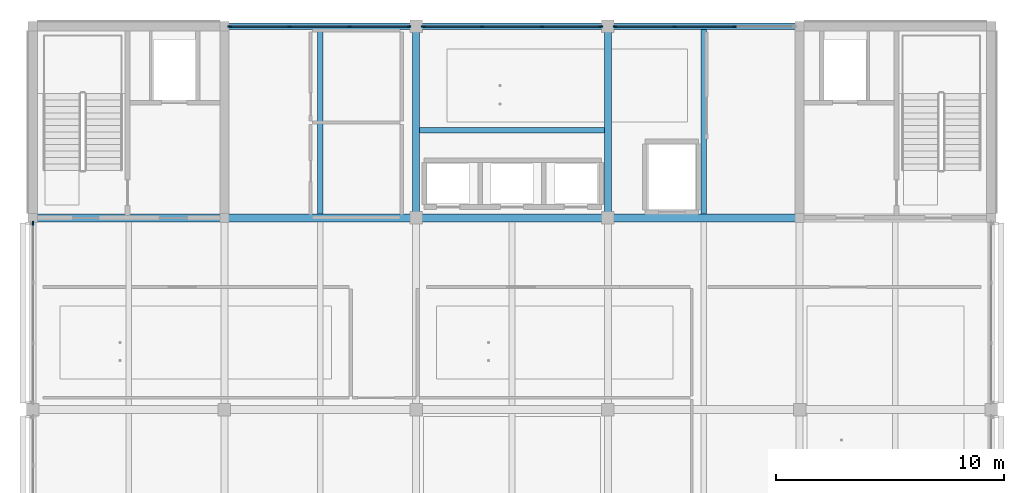
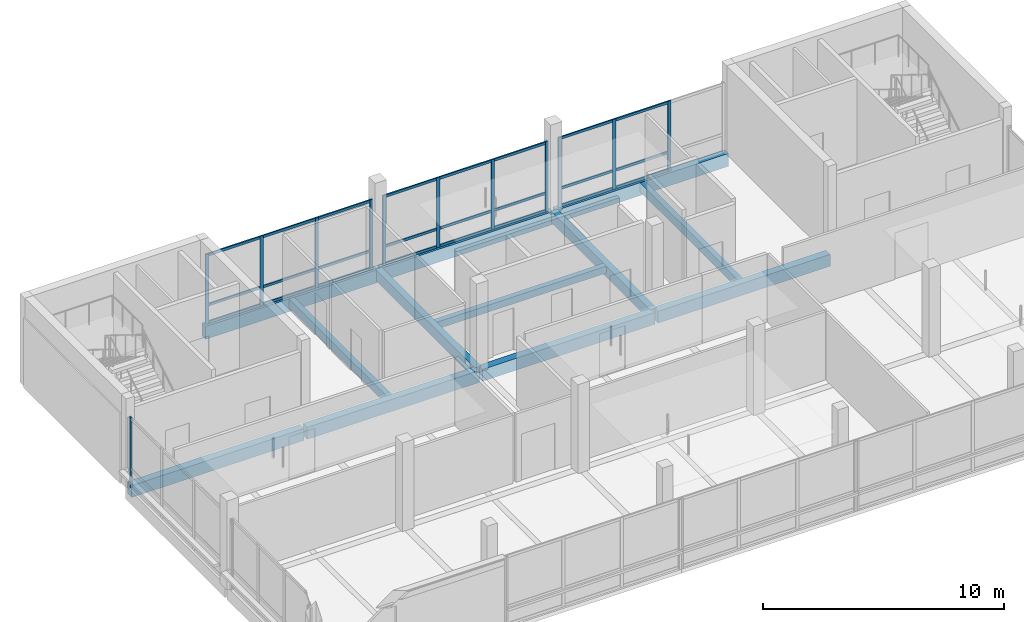
# One storey, part 4 of 20: 36 members, 12 beams, 4 elements without a shape of their own.
"""IFC4 building model written with IfcOpenShell, lengths in metres."""

from ifc_helpers import new_model, si_unit, direction, frame, origin, origin_2d, place, context, subcontext, project, spatial, rectangle, extrude, material, layer, layer_set, material_profile, profile_set, type_object, element, aggregate, save


model = new_model("IFC4")

# Units and contexts
model_context = context("Model", 3, precision=1e-05, world=origin(), true_north=direction((0.0, 1.0)))
body_context = subcontext(model_context, "Body", "Model", "MODEL_VIEW")
ifc_project = project(units=[si_unit("LENGTHUNIT", "METRE"), si_unit("AREAUNIT", "SQUARE_METRE"), si_unit("VOLUMEUNIT", "CUBIC_METRE"), si_unit("PLANEANGLEUNIT", "RADIAN"), si_unit("MASSUNIT", "GRAM", prefix="KILO")], contexts=[model_context])

# Site, building, storey
site_placement = place(None, origin())
site = spatial("IfcSite", under=ifc_project, at=site_placement, CompositionType="ELEMENT")
building_placement = place(site_placement, origin())
building = spatial("IfcBuilding", under=site, at=building_placement, Name="Telukmera Botanical Conservatory", CompositionType="ELEMENT")
storey_placement = place(building_placement, frame((0.0, 0.0, 69.0)))
storey = spatial("IfcBuildingStorey", under=building, at=storey_placement, Name="L15", CompositionType="ELEMENT", Elevation=69.0)

# Beams
ifc_material_1 = material(Name="Concrete C40/50", Category="concrete")
ifc_material_profile_1 = material_profile(ifc_material_1, rectangle(XDim=0.300048828125, YDim=0.550048828125, at=origin_2d()), Name="RC 300x550")
ifc_profile_set_1 = profile_set([ifc_material_profile_1], Name="Concrete C40/50")
beam_type_1 = type_object("IfcBeamType", Name="Beam_B10", PredefinedType="BEAM", material=ifc_profile_set_1)
for number, where, z_axis, x_axis, name in (
    (1, (75.60009765625, 26.080078125, -0.27490234375), (0.0, 1.0, 0.0), (-1.0, 0.0, 0.0), "Tower Transverse Beam L15"),
    (2, (84.0, 26.080078125, -0.27490234375), (0.0, 1.0, 0.0), (-1.0, 0.0, 0.0), "Tower Transverse Beam L15"),
):
    element("IfcBeam", number, at=place(storey_placement, frame(where, z_axis=z_axis, x_axis=x_axis)), inside=storey, type_object=beam_type_1, Name=name, PredefinedType="BEAM", context=body_context, shape_type="SweptSolid", body=[
        extrude(rectangle(XDim=0.300048828125, YDim=0.550048828125, at=origin_2d()), origin(), (0.0, 0.0, 1.0), 8.239990234375),
    ])
ifc_material_profile_2 = material_profile(ifc_material_1, rectangle(XDim=0.25, YDim=0.449951171875, at=origin_2d()), Name="RC 250x450")
ifc_profile_set_2 = profile_set([ifc_material_profile_2], Name="Concrete C40/50")
beam_type_2 = type_object("IfcBeamType", Name="Beam_B27", PredefinedType="JOIST", material=ifc_profile_set_2)
for number, where, z_axis, x_axis, name in (
    (3, (71.39990234375, 26.175048828125, -0.22509765625), (0.0, 1.0, 0.0), (-1.0, 0.0, 0.0), "Tower Secondary Floor Joist L15"),
    (4, (88.199951171875, 26.175048828125, -0.22509765625), (0.0, 1.0, 0.0), (-1.0, 0.0, 0.0), "Tower Secondary Floor Joist L15"),
):
    element("IfcBeam", number, at=place(storey_placement, frame(where, z_axis=z_axis, x_axis=x_axis)), inside=storey, type_object=beam_type_2, Name=name, PredefinedType="JOIST", context=body_context, shape_type="SweptSolid", body=[
        extrude(rectangle(XDim=0.25, YDim=0.449951171875, at=origin_2d()), origin(), (0.0, 0.0, 1.0), 8.074951171875),
    ])
ifc_material_profile_3 = material_profile(ifc_material_1, rectangle(XDim=0.35009765625, YDim=0.60009765625, at=origin_2d()), Name="RC 350x600")
ifc_profile_set_3 = profile_set([ifc_material_profile_3], Name="Concrete C40/50")
beam_type_3 = type_object("IfcBeamType", Name="Beam_B9", PredefinedType="BEAM", material=ifc_profile_set_3)
beam_1_placement = place(storey_placement, frame((58.8798828125, 26.0, -0.300048828125), z_axis=(1.0, 0.0, 0.0), x_axis=(0.0, 1.0, 0.0)))
element("IfcBeam", 5, at=beam_1_placement, inside=storey, type_object=beam_type_3, Name="Tower Grid Beam L15", PredefinedType="BEAM", context=body_context, shape_type="SweptSolid", body=[
    extrude(rectangle(XDim=0.35009765625, YDim=0.60009765625, at=origin_2d()), origin(), (0.0, 0.0, 1.0), 8.240234375),
])
for number, where, z_axis, x_axis, name in (
    (6, (67.280029296875, 26.0, -0.300048828125), (1.0, 0.0, 0.0), (0.0, 1.0, 0.0), "Tower Grid Beam L15"),
    (7, (75.679931640625, 26.0, -0.300048828125), (1.0, 0.0, 0.0), (0.0, 1.0, 0.0), "Tower Grid Beam L15"),
    (8, (84.080078125, 26.0, -0.300048828125), (1.0, 0.0, 0.0), (0.0, 1.0, 0.0), "Tower Grid Beam L15"),
):
    element("IfcBeam", number, at=place(storey_placement, frame(where, z_axis=z_axis, x_axis=x_axis)), inside=storey, type_object=beam_type_3, Name=name, PredefinedType="BEAM", context=body_context, shape_type="SweptSolid", body=[
        extrude(rectangle(XDim=0.35009765625, YDim=0.60009765625, at=origin_2d()), origin(), (0.0, 0.0, 1.0), 8.239990234375),
    ])
ifc_material_2 = material(Name="Precast concrete C40/50", Category="concrete")
ifc_material_profile_4 = material_profile(ifc_material_2, rectangle(XDim=0.25, YDim=0.35009765625, at=origin_2d()), Name="PC 250x350")
ifc_profile_set_4 = profile_set([ifc_material_profile_4], Name="Precast concrete C40/50")
beam_type_4 = type_object("IfcBeamType", Name="Beam_LN2", PredefinedType="LINTEL", material=ifc_profile_set_4)
beam_2_placement = place(storey_placement, frame((75.75, 29.85009765625, -0.175048828125), z_axis=(1.0, 0.0, 0.0), x_axis=(0.0, 1.0, 0.0)))
element("IfcBeam", 9, at=beam_2_placement, inside=storey, type_object=beam_type_4, Name="Tower Lift Bank Header Lintel L15", PredefinedType="LINTEL", context=body_context, shape_type="SweptSolid", body=[
    extrude(rectangle(XDim=0.25, YDim=0.35009765625, at=origin_2d()), origin(), (0.0, 0.0, 1.0), 8.10009765625),
])
ifc_material_profile_5 = material_profile(ifc_material_2, rectangle(XDim=0.300048828125, YDim=0.64990234375, at=origin_2d()), Name="PC 300x650")
ifc_profile_set_5 = profile_set([ifc_material_profile_5], Name="Precast concrete C40/50")
beam_type_5 = type_object("IfcBeamType", Name="Beam_SP4", PredefinedType="SPANDREL", material=ifc_profile_set_5)
for number, where, z_axis, x_axis, name in (
    (10, (67.280029296875, 34.39990234375, -0.324951171875), (1.0, 0.0, 0.0), (0.0, 1.0, 0.0), "Tower Grid Beam L15"),
    (11, (75.679931640625, 34.39990234375, -0.324951171875), (1.0, 0.0, 0.0), (0.0, 1.0, 0.0), "Tower Grid Beam L15"),
    (12, (84.080078125, 34.39990234375, -0.324951171875), (1.0, 0.0, 0.0), (0.0, 1.0, 0.0), "Tower Grid Beam L15"),
):
    element("IfcBeam", number, at=place(storey_placement, frame(where, z_axis=z_axis, x_axis=x_axis)), inside=storey, type_object=beam_type_5, Name=name, PredefinedType="SPANDREL", context=body_context, shape_type="SweptSolid", body=[
        extrude(rectangle(XDim=0.300048828125, YDim=0.64990234375, at=origin_2d()), origin(), (0.0, 0.0, 1.0), 8.239990234375),
    ])

# Curtain wall, members
ifc_material_3 = material(Name="Anodised aluminium 6063-T6", Category="aluminium")
ifc_layer = layer(ifc_material_3, 0.179931640625)
ifc_layer_set = layer_set([ifc_layer], Name="Anodised aluminium 6063-T6")
curtain_wall_type = type_object("IfcCurtainWallType", Name="Tower Sky Gallery Panoramic Curtain Wall", PredefinedType="USERDEFINED", material=ifc_layer_set)
curtain_wall_1_placement = place(storey_placement, origin())
curtain_wall_1 = element("IfcCurtainWall", 13, at=curtain_wall_1_placement, inside=storey, type_object=curtain_wall_type, Name="Unitised Curtain Wall CW16 V4:L15:N2", ObjectType="UNITISED CURTAIN WALL", PredefinedType="USERDEFINED")
ifc_material_profile_6 = material_profile(ifc_material_3, rectangle(XDim=0.06494140625, YDim=0.159912109375, at=origin_2d()), Name="ALU MULL 65x160")
ifc_profile_set_6 = profile_set([ifc_material_profile_6], Name="Anodised aluminium 6063-T6")
member_type_1 = type_object("IfcMemberType", Name="Curtain Wall Extruded Mullion 65x160", PredefinedType="MULLION", material=ifc_profile_set_6)
member_1_placement = place(storey_placement, frame((67.4345703125, 34.39990234375, 0.0), z_axis=(0.0, 0.0, 1.0), x_axis=(0.0, 1.0, 0.0)))
member_1 = element("IfcMember", 14, at=member_1_placement, type_object=member_type_1, Name="CW16 mullion 1", PredefinedType="MULLION", context=body_context, shape_type="SweptSolid", body=[
    extrude(rectangle(XDim=0.06494140625, YDim=0.159912109375, at=origin_2d()), origin(), (0.0, 0.0, 1.0), 3.550048828125),
])
member_2_placement = place(storey_placement, frame((70.042236328125, 34.39990234375, 0.0), z_axis=(0.0, 0.0, 1.0), x_axis=(0.0, 1.0, 0.0)))
member_2 = element("IfcMember", 15, at=member_2_placement, type_object=member_type_1, Name="CW16 mullion 2", PredefinedType="MULLION", context=body_context, shape_type="SweptSolid", body=[
    extrude(rectangle(XDim=0.06494140625, YDim=0.159912109375, at=origin_2d()), origin(), (0.0, 0.0, 1.0), 3.550048828125),
])
member_3_placement = place(storey_placement, frame((72.6826171875, 34.39990234375, 0.0), z_axis=(0.0, 0.0, 1.0), x_axis=(0.0, 1.0, 0.0)))
member_3 = element("IfcMember", 16, at=member_3_placement, type_object=member_type_1, Name="CW16 mullion 3", PredefinedType="MULLION", context=body_context, shape_type="SweptSolid", body=[
    extrude(rectangle(XDim=0.06494140625, YDim=0.159912109375, at=origin_2d()), origin(), (0.0, 0.0, 1.0), 3.550048828125),
])
member_4_placement = place(storey_placement, frame((75.29052734375, 34.39990234375, 0.0), z_axis=(0.0, 0.0, 1.0), x_axis=(0.0, 1.0, 0.0)))
member_4 = element("IfcMember", 17, at=member_4_placement, type_object=member_type_1, Name="CW16 mullion 4", PredefinedType="MULLION", context=body_context, shape_type="SweptSolid", body=[
    extrude(rectangle(XDim=0.06494140625, YDim=0.159912109375, at=origin_2d()), origin(), (0.0, 0.0, 1.0), 3.550048828125),
])

curtain_wall_2_placement = place(storey_placement, origin())
curtain_wall_2 = element("IfcCurtainWall", 18, at=curtain_wall_2_placement, inside=storey, type_object=curtain_wall_type, Name="Unitised Curtain Wall CW16 V4:L15:N3", ObjectType="UNITISED CURTAIN WALL", PredefinedType="USERDEFINED")
member_5_placement = place(storey_placement, frame((75.909423828125, 34.39990234375, 0.0), z_axis=(0.0, 0.0, 1.0), x_axis=(0.0, 1.0, 0.0)))
member_5 = element("IfcMember", 19, at=member_5_placement, type_object=member_type_1, Name="CW16 mullion 1", PredefinedType="MULLION", context=body_context, shape_type="SweptSolid", body=[
    extrude(rectangle(XDim=0.06494140625, YDim=0.159912109375, at=origin_2d()), origin(), (0.0, 0.0, 1.0), 3.550048828125),
])
member_6_placement = place(storey_placement, frame((78.492431640625, 34.39990234375, 0.0), z_axis=(0.0, 0.0, 1.0), x_axis=(0.0, 1.0, 0.0)))
member_6 = element("IfcMember", 20, at=member_6_placement, type_object=member_type_1, Name="CW16 mullion 2", PredefinedType="MULLION", context=body_context, shape_type="SweptSolid", body=[
    extrude(rectangle(XDim=0.06494140625, YDim=0.159912109375, at=origin_2d()), origin(), (0.0, 0.0, 1.0), 3.550048828125),
])
member_7_placement = place(storey_placement, frame((81.107666015625, 34.39990234375, 0.0), z_axis=(0.0, 0.0, 1.0), x_axis=(0.0, 1.0, 0.0)))
member_7 = element("IfcMember", 21, at=member_7_placement, type_object=member_type_1, Name="CW16 mullion 3", PredefinedType="MULLION", context=body_context, shape_type="SweptSolid", body=[
    extrude(rectangle(XDim=0.06494140625, YDim=0.159912109375, at=origin_2d()), origin(), (0.0, 0.0, 1.0), 3.550048828125),
])
member_8_placement = place(storey_placement, frame((83.6904296875, 34.39990234375, 0.0), z_axis=(0.0, 0.0, 1.0), x_axis=(0.0, 1.0, 0.0)))
member_8 = element("IfcMember", 22, at=member_8_placement, type_object=member_type_1, Name="CW16 mullion 4", PredefinedType="MULLION", context=body_context, shape_type="SweptSolid", body=[
    extrude(rectangle(XDim=0.06494140625, YDim=0.159912109375, at=origin_2d()), origin(), (0.0, 0.0, 1.0), 3.550048828125),
])

curtain_wall_3_placement = place(storey_placement, origin())
curtain_wall_3 = element("IfcCurtainWall", 23, at=curtain_wall_3_placement, inside=storey, type_object=curtain_wall_type, Name="Unitised Curtain Wall CW16 V4:L15:N4", ObjectType="UNITISED CURTAIN WALL", PredefinedType="USERDEFINED")
member_9_placement = place(storey_placement, frame((84.3095703125, 34.39990234375, 0.0), z_axis=(0.0, 0.0, 1.0), x_axis=(0.0, 1.0, 0.0)))
member_9 = element("IfcMember", 24, at=member_9_placement, type_object=member_type_1, Name="CW16 mullion 1", PredefinedType="MULLION", context=body_context, shape_type="SweptSolid", body=[
    extrude(rectangle(XDim=0.06494140625, YDim=0.159912109375, at=origin_2d()), origin(), (0.0, 0.0, 1.0), 3.550048828125),
])
member_10_placement = place(storey_placement, frame((86.917236328125, 34.39990234375, 0.0), z_axis=(0.0, 0.0, 1.0), x_axis=(0.0, 1.0, 0.0)))
member_10 = element("IfcMember", 25, at=member_10_placement, type_object=member_type_1, Name="CW16 mullion 2", PredefinedType="MULLION", context=body_context, shape_type="SweptSolid", body=[
    extrude(rectangle(XDim=0.06494140625, YDim=0.159912109375, at=origin_2d()), origin(), (0.0, 0.0, 1.0), 3.550048828125),
])
member_11_placement = place(storey_placement, frame((89.5576171875, 34.39990234375, 0.0), z_axis=(0.0, 0.0, 1.0), x_axis=(0.0, 1.0, 0.0)))
member_11 = element("IfcMember", 26, at=member_11_placement, type_object=member_type_1, Name="CW16 mullion 3", PredefinedType="MULLION", context=body_context, shape_type="SweptSolid", body=[
    extrude(rectangle(XDim=0.06494140625, YDim=0.159912109375, at=origin_2d()), origin(), (0.0, 0.0, 1.0), 3.550048828125),
])

# Curtain wall, member
curtain_wall_4_placement = place(storey_placement, origin())
curtain_wall_4 = element("IfcCurtainWall", 27, at=curtain_wall_4_placement, inside=storey, type_object=curtain_wall_type, Name="Unitised Curtain Wall CW16 V4:L15:W2", ObjectType="UNITISED CURTAIN WALL", PredefinedType="USERDEFINED")
member_12_placement = place(storey_placement, frame((58.800048828125, 25.765380859375, 0.0), z_axis=(0.0, 0.0, 1.0), x_axis=(-1.0, 0.0, 0.0)))
member_12 = element("IfcMember", 28, at=member_12_placement, type_object=member_type_1, Name="CW16 mullion 4", PredefinedType="MULLION", context=body_context, shape_type="SweptSolid", body=[
    extrude(rectangle(XDim=0.06494140625, YDim=0.159912109375, at=origin_2d()), origin(), (0.0, 0.0, 1.0), 3.550048828125),
])
aggregate(curtain_wall_4, [member_12])

# Member
ifc_material_profile_7 = material_profile(ifc_material_3, rectangle(XDim=0.06494140625, YDim=0.1298828125, at=origin_2d()), Name="ALU TRAN 65x130")
ifc_profile_set_7 = profile_set([ifc_material_profile_7], Name="Anodised aluminium 6063-T6")
member_type_2 = type_object("IfcMemberType", Name="Curtain Wall Extruded Transom 65x130", PredefinedType="USERDEFINED", material=ifc_profile_set_7)
member_13_placement = place(storey_placement, frame((67.467041015625, 34.39990234375, 0.06494140625), z_axis=(1.0, 0.0, 0.0), x_axis=(0.0, 1.0, 0.0)))
member_13 = element("IfcMember", 29, at=member_13_placement, type_object=member_type_2, Name="CW16 transom 1.1", ObjectType="TRANSOM", PredefinedType="USERDEFINED", context=body_context, shape_type="SweptSolid", body=[
    extrude(rectangle(XDim=0.06494140625, YDim=0.1298828125, at=origin_2d()), origin(), (0.0, 0.0, 1.0), 2.542724609375),
])

member_14_placement = place(storey_placement, frame((67.467041015625, 34.39990234375, 0.949951171875), z_axis=(1.0, 0.0, 0.0), x_axis=(0.0, 1.0, 0.0)))
member_14 = element("IfcMember", 30, at=member_14_placement, type_object=member_type_2, Name="CW16 transom 1.2", ObjectType="TRANSOM", PredefinedType="USERDEFINED", context=body_context, shape_type="SweptSolid", body=[
    extrude(rectangle(XDim=0.06494140625, YDim=0.1298828125, at=origin_2d()), origin(), (0.0, 0.0, 1.0), 2.542724609375),
])

member_15_placement = place(storey_placement, frame((67.467041015625, 34.39990234375, 3.485107421875), z_axis=(1.0, 0.0, 0.0), x_axis=(0.0, 1.0, 0.0)))
member_15 = element("IfcMember", 31, at=member_15_placement, type_object=member_type_2, Name="CW16 transom 1.3", ObjectType="TRANSOM", PredefinedType="USERDEFINED", context=body_context, shape_type="SweptSolid", body=[
    extrude(rectangle(XDim=0.06494140625, YDim=0.1298828125, at=origin_2d()), origin(), (0.0, 0.0, 1.0), 2.542724609375),
])

member_16_placement = place(storey_placement, frame((70.074951171875, 34.39990234375, 0.06494140625), z_axis=(1.0, 0.0, 0.0), x_axis=(0.0, 1.0, 0.0)))
member_16 = element("IfcMember", 32, at=member_16_placement, type_object=member_type_2, Name="CW16 transom 2.1", ObjectType="TRANSOM", PredefinedType="USERDEFINED", context=body_context, shape_type="SweptSolid", body=[
    extrude(rectangle(XDim=0.06494140625, YDim=0.1298828125, at=origin_2d()), origin(), (0.0, 0.0, 1.0), 2.5751953125),
])

member_17_placement = place(storey_placement, frame((70.074951171875, 34.39990234375, 0.949951171875), z_axis=(1.0, 0.0, 0.0), x_axis=(0.0, 1.0, 0.0)))
member_17 = element("IfcMember", 33, at=member_17_placement, type_object=member_type_2, Name="CW16 transom 2.2", ObjectType="TRANSOM", PredefinedType="USERDEFINED", context=body_context, shape_type="SweptSolid", body=[
    extrude(rectangle(XDim=0.06494140625, YDim=0.1298828125, at=origin_2d()), origin(), (0.0, 0.0, 1.0), 2.5751953125),
])

member_18_placement = place(storey_placement, frame((70.074951171875, 34.39990234375, 3.485107421875), z_axis=(1.0, 0.0, 0.0), x_axis=(0.0, 1.0, 0.0)))
member_18 = element("IfcMember", 34, at=member_18_placement, type_object=member_type_2, Name="CW16 transom 2.3", ObjectType="TRANSOM", PredefinedType="USERDEFINED", context=body_context, shape_type="SweptSolid", body=[
    extrude(rectangle(XDim=0.06494140625, YDim=0.1298828125, at=origin_2d()), origin(), (0.0, 0.0, 1.0), 2.5751953125),
])

member_19_placement = place(storey_placement, frame((72.715087890625, 34.39990234375, 0.06494140625), z_axis=(1.0, 0.0, 0.0), x_axis=(0.0, 1.0, 0.0)))
member_19 = element("IfcMember", 35, at=member_19_placement, type_object=member_type_2, Name="CW16 transom 3.1", ObjectType="TRANSOM", PredefinedType="USERDEFINED", context=body_context, shape_type="SweptSolid", body=[
    extrude(rectangle(XDim=0.06494140625, YDim=0.1298828125, at=origin_2d()), origin(), (0.0, 0.0, 1.0), 2.54296875),
])

member_20_placement = place(storey_placement, frame((72.715087890625, 34.39990234375, 0.949951171875), z_axis=(1.0, 0.0, 0.0), x_axis=(0.0, 1.0, 0.0)))
member_20 = element("IfcMember", 36, at=member_20_placement, type_object=member_type_2, Name="CW16 transom 3.2", ObjectType="TRANSOM", PredefinedType="USERDEFINED", context=body_context, shape_type="SweptSolid", body=[
    extrude(rectangle(XDim=0.06494140625, YDim=0.1298828125, at=origin_2d()), origin(), (0.0, 0.0, 1.0), 2.54296875),
])

member_21_placement = place(storey_placement, frame((72.715087890625, 34.39990234375, 3.485107421875), z_axis=(1.0, 0.0, 0.0), x_axis=(0.0, 1.0, 0.0)))
member_21 = element("IfcMember", 37, at=member_21_placement, type_object=member_type_2, Name="CW16 transom 3.3", ObjectType="TRANSOM", PredefinedType="USERDEFINED", context=body_context, shape_type="SweptSolid", body=[
    extrude(rectangle(XDim=0.06494140625, YDim=0.1298828125, at=origin_2d()), origin(), (0.0, 0.0, 1.0), 2.54296875),
])

aggregate(curtain_wall_1, [member_1, member_2, member_3, member_4, member_13, member_14, member_15, member_16, member_17, member_18, member_19, member_20, member_21])

member_22_placement = place(storey_placement, frame((75.94189453125, 34.39990234375, 0.06494140625), z_axis=(1.0, 0.0, 0.0), x_axis=(0.0, 1.0, 0.0)))
member_22 = element("IfcMember", 38, at=member_22_placement, type_object=member_type_2, Name="CW16 transom 1.1", ObjectType="TRANSOM", PredefinedType="USERDEFINED", context=body_context, shape_type="SweptSolid", body=[
    extrude(rectangle(XDim=0.06494140625, YDim=0.1298828125, at=origin_2d()), origin(), (0.0, 0.0, 1.0), 2.517822265625),
])

member_23_placement = place(storey_placement, frame((75.94189453125, 34.39990234375, 0.949951171875), z_axis=(1.0, 0.0, 0.0), x_axis=(0.0, 1.0, 0.0)))
member_23 = element("IfcMember", 39, at=member_23_placement, type_object=member_type_2, Name="CW16 transom 1.2", ObjectType="TRANSOM", PredefinedType="USERDEFINED", context=body_context, shape_type="SweptSolid", body=[
    extrude(rectangle(XDim=0.06494140625, YDim=0.1298828125, at=origin_2d()), origin(), (0.0, 0.0, 1.0), 2.517822265625),
])

member_24_placement = place(storey_placement, frame((75.94189453125, 34.39990234375, 3.485107421875), z_axis=(1.0, 0.0, 0.0), x_axis=(0.0, 1.0, 0.0)))
member_24 = element("IfcMember", 40, at=member_24_placement, type_object=member_type_2, Name="CW16 transom 1.3", ObjectType="TRANSOM", PredefinedType="USERDEFINED", context=body_context, shape_type="SweptSolid", body=[
    extrude(rectangle(XDim=0.06494140625, YDim=0.1298828125, at=origin_2d()), origin(), (0.0, 0.0, 1.0), 2.517822265625),
])

member_25_placement = place(storey_placement, frame((78.52490234375, 34.39990234375, 0.06494140625), z_axis=(1.0, 0.0, 0.0), x_axis=(0.0, 1.0, 0.0)))
member_25 = element("IfcMember", 41, at=member_25_placement, type_object=member_type_2, Name="CW16 transom 2.1", ObjectType="TRANSOM", PredefinedType="USERDEFINED", context=body_context, shape_type="SweptSolid", body=[
    extrude(rectangle(XDim=0.06494140625, YDim=0.1298828125, at=origin_2d()), origin(), (0.0, 0.0, 1.0), 2.55029296875),
])

member_26_placement = place(storey_placement, frame((78.52490234375, 34.39990234375, 0.949951171875), z_axis=(1.0, 0.0, 0.0), x_axis=(0.0, 1.0, 0.0)))
member_26 = element("IfcMember", 42, at=member_26_placement, type_object=member_type_2, Name="CW16 transom 2.2", ObjectType="TRANSOM", PredefinedType="USERDEFINED", context=body_context, shape_type="SweptSolid", body=[
    extrude(rectangle(XDim=0.06494140625, YDim=0.1298828125, at=origin_2d()), origin(), (0.0, 0.0, 1.0), 2.55029296875),
])

member_27_placement = place(storey_placement, frame((78.52490234375, 34.39990234375, 3.485107421875), z_axis=(1.0, 0.0, 0.0), x_axis=(0.0, 1.0, 0.0)))
member_27 = element("IfcMember", 43, at=member_27_placement, type_object=member_type_2, Name="CW16 transom 2.3", ObjectType="TRANSOM", PredefinedType="USERDEFINED", context=body_context, shape_type="SweptSolid", body=[
    extrude(rectangle(XDim=0.06494140625, YDim=0.1298828125, at=origin_2d()), origin(), (0.0, 0.0, 1.0), 2.55029296875),
])

member_28_placement = place(storey_placement, frame((81.14013671875, 34.39990234375, 0.06494140625), z_axis=(1.0, 0.0, 0.0), x_axis=(0.0, 1.0, 0.0)))
member_28 = element("IfcMember", 44, at=member_28_placement, type_object=member_type_2, Name="CW16 transom 3.1", ObjectType="TRANSOM", PredefinedType="USERDEFINED", context=body_context, shape_type="SweptSolid", body=[
    extrude(rectangle(XDim=0.06494140625, YDim=0.1298828125, at=origin_2d()), origin(), (0.0, 0.0, 1.0), 2.517822265625),
])

member_29_placement = place(storey_placement, frame((81.14013671875, 34.39990234375, 0.949951171875), z_axis=(1.0, 0.0, 0.0), x_axis=(0.0, 1.0, 0.0)))
member_29 = element("IfcMember", 45, at=member_29_placement, type_object=member_type_2, Name="CW16 transom 3.2", ObjectType="TRANSOM", PredefinedType="USERDEFINED", context=body_context, shape_type="SweptSolid", body=[
    extrude(rectangle(XDim=0.06494140625, YDim=0.1298828125, at=origin_2d()), origin(), (0.0, 0.0, 1.0), 2.517822265625),
])

member_30_placement = place(storey_placement, frame((81.14013671875, 34.39990234375, 3.485107421875), z_axis=(1.0, 0.0, 0.0), x_axis=(0.0, 1.0, 0.0)))
member_30 = element("IfcMember", 46, at=member_30_placement, type_object=member_type_2, Name="CW16 transom 3.3", ObjectType="TRANSOM", PredefinedType="USERDEFINED", context=body_context, shape_type="SweptSolid", body=[
    extrude(rectangle(XDim=0.06494140625, YDim=0.1298828125, at=origin_2d()), origin(), (0.0, 0.0, 1.0), 2.517822265625),
])

aggregate(curtain_wall_2, [member_5, member_6, member_7, member_8, member_22, member_23, member_24, member_25, member_26, member_27, member_28, member_29, member_30])

member_31_placement = place(storey_placement, frame((84.342041015625, 34.39990234375, 0.06494140625), z_axis=(1.0, 0.0, 0.0), x_axis=(0.0, 1.0, 0.0)))
member_31 = element("IfcMember", 47, at=member_31_placement, type_object=member_type_2, Name="CW16 transom 1.1", ObjectType="TRANSOM", PredefinedType="USERDEFINED", context=body_context, shape_type="SweptSolid", body=[
    extrude(rectangle(XDim=0.06494140625, YDim=0.1298828125, at=origin_2d()), origin(), (0.0, 0.0, 1.0), 2.542724609375),
])

member_32_placement = place(storey_placement, frame((84.342041015625, 34.39990234375, 0.949951171875), z_axis=(1.0, 0.0, 0.0), x_axis=(0.0, 1.0, 0.0)))
member_32 = element("IfcMember", 48, at=member_32_placement, type_object=member_type_2, Name="CW16 transom 1.2", ObjectType="TRANSOM", PredefinedType="USERDEFINED", context=body_context, shape_type="SweptSolid", body=[
    extrude(rectangle(XDim=0.06494140625, YDim=0.1298828125, at=origin_2d()), origin(), (0.0, 0.0, 1.0), 2.542724609375),
])

member_33_placement = place(storey_placement, frame((84.342041015625, 34.39990234375, 3.485107421875), z_axis=(1.0, 0.0, 0.0), x_axis=(0.0, 1.0, 0.0)))
member_33 = element("IfcMember", 49, at=member_33_placement, type_object=member_type_2, Name="CW16 transom 1.3", ObjectType="TRANSOM", PredefinedType="USERDEFINED", context=body_context, shape_type="SweptSolid", body=[
    extrude(rectangle(XDim=0.06494140625, YDim=0.1298828125, at=origin_2d()), origin(), (0.0, 0.0, 1.0), 2.542724609375),
])

member_34_placement = place(storey_placement, frame((86.949951171875, 34.39990234375, 0.06494140625), z_axis=(1.0, 0.0, 0.0), x_axis=(0.0, 1.0, 0.0)))
member_34 = element("IfcMember", 50, at=member_34_placement, type_object=member_type_2, Name="CW16 transom 2.1", ObjectType="TRANSOM", PredefinedType="USERDEFINED", context=body_context, shape_type="SweptSolid", body=[
    extrude(rectangle(XDim=0.06494140625, YDim=0.1298828125, at=origin_2d()), origin(), (0.0, 0.0, 1.0), 2.5751953125),
])

member_35_placement = place(storey_placement, frame((86.949951171875, 34.39990234375, 0.949951171875), z_axis=(1.0, 0.0, 0.0), x_axis=(0.0, 1.0, 0.0)))
member_35 = element("IfcMember", 51, at=member_35_placement, type_object=member_type_2, Name="CW16 transom 2.2", ObjectType="TRANSOM", PredefinedType="USERDEFINED", context=body_context, shape_type="SweptSolid", body=[
    extrude(rectangle(XDim=0.06494140625, YDim=0.1298828125, at=origin_2d()), origin(), (0.0, 0.0, 1.0), 2.5751953125),
])

member_36_placement = place(storey_placement, frame((86.949951171875, 34.39990234375, 3.485107421875), z_axis=(1.0, 0.0, 0.0), x_axis=(0.0, 1.0, 0.0)))
member_36 = element("IfcMember", 52, at=member_36_placement, type_object=member_type_2, Name="CW16 transom 2.3", ObjectType="TRANSOM", PredefinedType="USERDEFINED", context=body_context, shape_type="SweptSolid", body=[
    extrude(rectangle(XDim=0.06494140625, YDim=0.1298828125, at=origin_2d()), origin(), (0.0, 0.0, 1.0), 2.5751953125),
])

aggregate(curtain_wall_3, [member_9, member_10, member_11, member_31, member_32, member_33, member_34, member_35, member_36])

save(model, "model.ifc")
